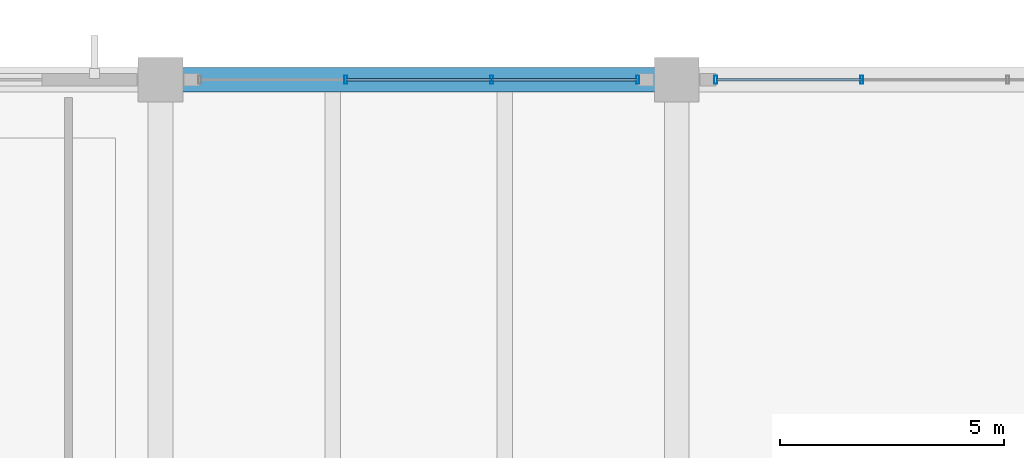
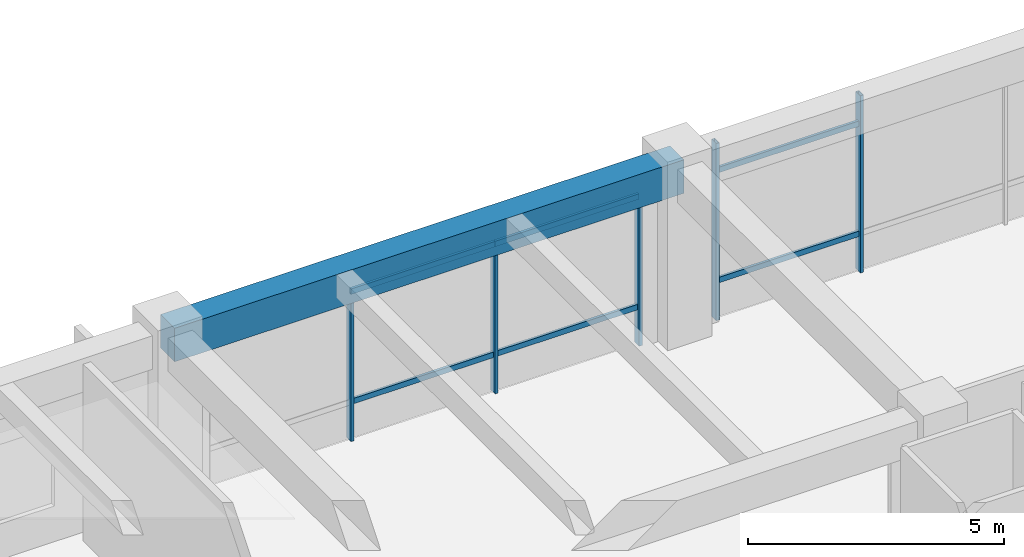
# One storey, part 119 of 154: 11 members, 1 beam, 2 elements without a shape of their own.
"""IFC4 building model written with IfcOpenShell, lengths in metres."""

from ifc_helpers import new_model, si_unit, direction, frame, origin, origin_2d, place, context, subcontext, project, spatial, rectangle, hollow_rectangle, extrude, material, material_profile, profile_set, type_object, element, aggregate, save


model = new_model("IFC4")

# Units and contexts
model_context = context("Model", 3, precision=1e-05, world=origin(), true_north=direction((0.0, 1.0)))
body_context = subcontext(model_context, "Body", "Model", "MODEL_VIEW")
ifc_project = project(units=[si_unit("LENGTHUNIT", "METRE"), si_unit("AREAUNIT", "SQUARE_METRE"), si_unit("VOLUMEUNIT", "CUBIC_METRE"), si_unit("PLANEANGLEUNIT", "RADIAN"), si_unit("MASSUNIT", "GRAM", prefix="KILO")], contexts=[model_context])

# Site, building, storey
site_placement = place(None, origin())
site = spatial("IfcSite", under=ifc_project, at=site_placement, CompositionType="ELEMENT")
building_placement = place(site_placement, origin())
building = spatial("IfcBuilding", under=site, at=building_placement, Name="Ologun Quay Terminus", CompositionType="ELEMENT")
storey_placement = place(building_placement, frame((0.0, 0.0, 13.800048828125)))
storey = spatial("IfcBuildingStorey", under=building, at=storey_placement, Name="L03", CompositionType="ELEMENT", Elevation=13.800048828125)

# Beam
ifc_material_1 = material(Name="Concrete C40/50", Category="concrete")
ifc_material_profile_1 = material_profile(ifc_material_1, rectangle(XDim=0.550048828125, YDim=0.800048828125, at=origin_2d()), Name="RC 550x800")
ifc_profile_set_1 = profile_set([ifc_material_profile_1], Name="Concrete C40/50")
beam_type = type_object("IfcBeamType", Name="Courtyard Wing Primary Girder 550x800", PredefinedType="BEAM", material=ifc_profile_set_1)
beam_placement = place(storey_placement, frame((126.5, 114.800048828125, 3.849853515625), z_axis=(1.0, 0.0, 0.0), x_axis=(0.0, 1.0, 0.0)))
element("IfcBeam", 1, at=beam_placement, inside=storey, type_object=beam_type, Name="B4 Beam 12/K L03", PredefinedType="BEAM", context=body_context, shape_type="SweptSolid", body=[
    extrude(rectangle(XDim=0.550048828125, YDim=0.800048828125, at=origin_2d()), origin(), (0.0, 0.0, 1.0), 11.5),
])

# Curtain wall, members
ifc_material_2 = material(Name="Aluminium 6063-T6", Category="aluminium")
curtain_wall_type = type_object("IfcCurtainWallType", Name="Waterfront Pavilion Harbour Curtain Wall L03 10600x4150", PredefinedType="USERDEFINED", material=ifc_material_2)
curtain_wall_1_placement = place(storey_placement, origin())
curtain_wall_1 = element("IfcCurtainWall", 2, at=curtain_wall_1_placement, inside=storey, type_object=curtain_wall_type, Name="CW-25 Curtain Wall CW-L03-140", ObjectType="UNITISED CURTAIN WALL", PredefinedType="USERDEFINED")
ifc_material_3 = material(Name="Aluminium 6063-T6", Category="aluminium")
ifc_material_profile_2 = material_profile(ifc_material_3, hollow_rectangle(XDim=0.070068359375, YDim=0.179931640625, WallThickness=0.0048828125, at=origin_2d()), Name="ALU 180x70x5")
ifc_profile_set_2 = profile_set([ifc_material_profile_2], Name="Aluminium 6063-T6")
member_type_1 = type_object("IfcMemberType", Name="Curtain Wall Heavy Mullion 180x70", PredefinedType="MULLION", material=ifc_profile_set_2)
member_1_placement = place(storey_placement, frame((130.623291015625, 114.800048828125, 0.0), z_axis=(0.0, 0.0, 1.0), x_axis=(1.0, 0.0, 0.0)))
member_1 = element("IfcMember", 3, at=member_1_placement, type_object=member_type_1, Name="CW-L03-140 Mullion 2", PredefinedType="MULLION", context=body_context, shape_type="SweptSolid", body=[
    extrude(hollow_rectangle(XDim=0.070068359375, YDim=0.179931640625, WallThickness=0.0048828125, at=origin_2d()), origin(), (0.0, 0.0, 1.0), 4.22998046875),
])
member_2_placement = place(storey_placement, frame((133.876708984375, 114.800048828125, 0.0), z_axis=(0.0, 0.0, 1.0), x_axis=(1.0, 0.0, 0.0)))
member_2 = element("IfcMember", 4, at=member_2_placement, type_object=member_type_1, Name="CW-L03-140 Mullion 3", PredefinedType="MULLION", context=body_context, shape_type="SweptSolid", body=[
    extrude(hollow_rectangle(XDim=0.070068359375, YDim=0.179931640625, WallThickness=0.0048828125, at=origin_2d()), origin(), (0.0, 0.0, 1.0), 4.22998046875),
])
member_3_placement = place(storey_placement, frame((137.1298828125, 114.800048828125, 0.0), z_axis=(0.0, 0.0, 1.0), x_axis=(1.0, 0.0, 0.0)))
member_3 = element("IfcMember", 5, at=member_3_placement, type_object=member_type_1, Name="CW-L03-140 Mullion 4", PredefinedType="MULLION", context=body_context, shape_type="SweptSolid", body=[
    extrude(hollow_rectangle(XDim=0.070068359375, YDim=0.179931640625, WallThickness=0.0048828125, at=origin_2d()), origin(), (0.0, 0.0, 1.0), 4.22998046875),
])

curtain_wall_2_placement = place(storey_placement, origin())
curtain_wall_2 = element("IfcCurtainWall", 6, at=curtain_wall_2_placement, inside=storey, type_object=curtain_wall_type, Name="CW-25 Curtain Wall CW-L03-141", ObjectType="UNITISED CURTAIN WALL", PredefinedType="USERDEFINED")
member_4_placement = place(storey_placement, frame((138.8701171875, 114.800048828125, 0.0), z_axis=(0.0, 0.0, 1.0), x_axis=(1.0, 0.0, 0.0)))
member_4 = element("IfcMember", 7, at=member_4_placement, type_object=member_type_1, Name="CW-L03-141 Mullion 1", PredefinedType="MULLION", context=body_context, shape_type="SweptSolid", body=[
    extrude(hollow_rectangle(XDim=0.070068359375, YDim=0.179931640625, WallThickness=0.0048828125, at=origin_2d()), origin(), (0.0, 0.0, 1.0), 4.22998046875),
])
member_5_placement = place(storey_placement, frame((142.123291015625, 114.800048828125, 0.0), z_axis=(0.0, 0.0, 1.0), x_axis=(1.0, 0.0, 0.0)))
member_5 = element("IfcMember", 8, at=member_5_placement, type_object=member_type_1, Name="CW-L03-141 Mullion 2", PredefinedType="MULLION", context=body_context, shape_type="SweptSolid", body=[
    extrude(hollow_rectangle(XDim=0.070068359375, YDim=0.179931640625, WallThickness=0.0048828125, at=origin_2d()), origin(), (0.0, 0.0, 1.0), 4.22998046875),
])

# Member
ifc_material_4 = material(Name="Aluminium 6063-T6", Category="aluminium")
ifc_material_profile_3 = material_profile(ifc_material_4, hollow_rectangle(XDim=0.06005859375, YDim=0.1298828125, WallThickness=0.00390625, at=origin_2d()), Name="ALU 130x60x4")
ifc_profile_set_3 = profile_set([ifc_material_profile_3], Name="Aluminium 6063-T6")
member_type_2 = type_object("IfcMemberType", Name="Curtain Wall Heavy Transom 130x60", PredefinedType="USERDEFINED", material=ifc_profile_set_3)
member_6_placement = place(storey_placement, frame((130.623291015625, 114.800048828125, 0.89990234375), z_axis=(1.0, 0.0, 0.0), x_axis=(0.0, 1.0, 0.0)))
member_6 = element("IfcMember", 9, at=member_6_placement, type_object=member_type_2, Name="CW-L03-140 Transom B2-1", ObjectType="TRANSOM", PredefinedType="USERDEFINED", context=body_context, shape_type="SweptSolid", body=[
    extrude(hollow_rectangle(XDim=0.06005859375, YDim=0.1298828125, WallThickness=0.00390625, at=origin_2d()), origin(), (0.0, 0.0, 1.0), 3.25341796875),
])

member_7_placement = place(storey_placement, frame((130.623291015625, 114.800048828125, 3.530029296875), z_axis=(1.0, 0.0, 0.0), x_axis=(0.0, 1.0, 0.0)))
member_7 = element("IfcMember", 10, at=member_7_placement, type_object=member_type_2, Name="CW-L03-140 Transom B2-2", ObjectType="TRANSOM", PredefinedType="USERDEFINED", context=body_context, shape_type="SweptSolid", body=[
    extrude(hollow_rectangle(XDim=0.06005859375, YDim=0.1298828125, WallThickness=0.00390625, at=origin_2d()), origin(), (0.0, 0.0, 1.0), 3.25341796875),
])

member_8_placement = place(storey_placement, frame((133.876708984375, 114.800048828125, 0.89990234375), z_axis=(1.0, 0.0, 0.0), x_axis=(0.0, 1.0, 0.0)))
member_8 = element("IfcMember", 11, at=member_8_placement, type_object=member_type_2, Name="CW-L03-140 Transom B3-1", ObjectType="TRANSOM", PredefinedType="USERDEFINED", context=body_context, shape_type="SweptSolid", body=[
    extrude(hollow_rectangle(XDim=0.06005859375, YDim=0.1298828125, WallThickness=0.00390625, at=origin_2d()), origin(), (0.0, 0.0, 1.0), 3.253173828125),
])

member_9_placement = place(storey_placement, frame((133.876708984375, 114.800048828125, 3.530029296875), z_axis=(1.0, 0.0, 0.0), x_axis=(0.0, 1.0, 0.0)))
member_9 = element("IfcMember", 12, at=member_9_placement, type_object=member_type_2, Name="CW-L03-140 Transom B3-2", ObjectType="TRANSOM", PredefinedType="USERDEFINED", context=body_context, shape_type="SweptSolid", body=[
    extrude(hollow_rectangle(XDim=0.06005859375, YDim=0.1298828125, WallThickness=0.00390625, at=origin_2d()), origin(), (0.0, 0.0, 1.0), 3.253173828125),
])

aggregate(curtain_wall_1, [member_1, member_2, member_3, member_6, member_7, member_8, member_9])

member_10_placement = place(storey_placement, frame((138.8701171875, 114.800048828125, 0.89990234375), z_axis=(1.0, 0.0, 0.0), x_axis=(0.0, 1.0, 0.0)))
member_10 = element("IfcMember", 13, at=member_10_placement, type_object=member_type_2, Name="CW-L03-141 Transom B1-1", ObjectType="TRANSOM", PredefinedType="USERDEFINED", context=body_context, shape_type="SweptSolid", body=[
    extrude(hollow_rectangle(XDim=0.06005859375, YDim=0.1298828125, WallThickness=0.00390625, at=origin_2d()), origin(), (0.0, 0.0, 1.0), 3.253173828125),
])

member_11_placement = place(storey_placement, frame((138.8701171875, 114.800048828125, 3.530029296875), z_axis=(1.0, 0.0, 0.0), x_axis=(0.0, 1.0, 0.0)))
member_11 = element("IfcMember", 14, at=member_11_placement, type_object=member_type_2, Name="CW-L03-141 Transom B1-2", ObjectType="TRANSOM", PredefinedType="USERDEFINED", context=body_context, shape_type="SweptSolid", body=[
    extrude(hollow_rectangle(XDim=0.06005859375, YDim=0.1298828125, WallThickness=0.00390625, at=origin_2d()), origin(), (0.0, 0.0, 1.0), 3.253173828125),
])

aggregate(curtain_wall_2, [member_4, member_5, member_10, member_11])

save(model, "model.ifc")
